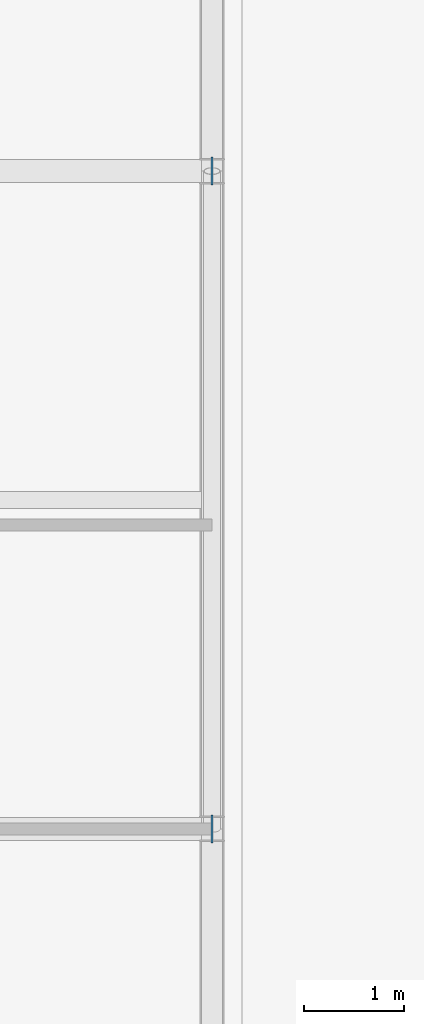
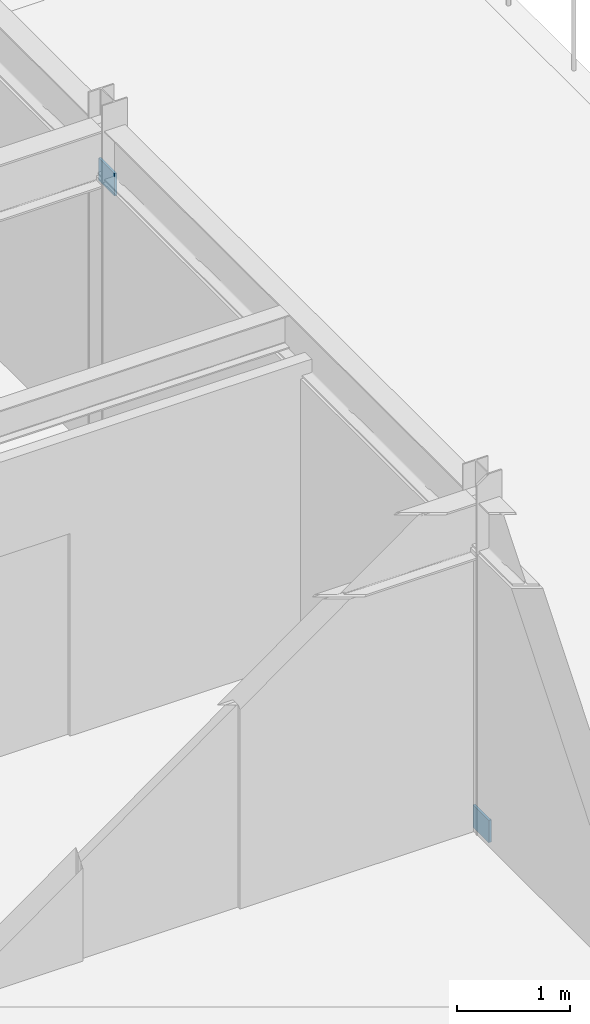
# One storey, part 23 of 28: 2 plates.
"""IFC4 building model written with IfcOpenShell, lengths in metres."""

from ifc_helpers import new_model, si_unit, direction, frame, origin, origin_2d, place, context, subcontext, project, spatial, rectangle, extrude, material, layer, layer_set, type_object, element, save


model = new_model("IFC4")

# Units and contexts
model_context = context("Model", 3, precision=1e-05, world=origin(), true_north=direction((0.0, 1.0)))
body_context = subcontext(model_context, "Body", "Model", "MODEL_VIEW")
ifc_project = project(units=[si_unit("LENGTHUNIT", "METRE"), si_unit("AREAUNIT", "SQUARE_METRE"), si_unit("VOLUMEUNIT", "CUBIC_METRE"), si_unit("PLANEANGLEUNIT", "RADIAN"), si_unit("MASSUNIT", "GRAM", prefix="KILO")], contexts=[model_context])

# Site, building, storey
site_placement = place(None, origin())
site = spatial("IfcSite", under=ifc_project, at=site_placement, CompositionType="ELEMENT")
building_placement = place(site_placement, origin())
building = spatial("IfcBuilding", under=site, at=building_placement, Name="Karori Crest Natural Sciences Institute", CompositionType="ELEMENT")
storey_placement = place(building_placement, frame((0.0, 0.0, 34.300048828125)))
storey = spatial("IfcBuildingStorey", under=building, at=storey_placement, Name="L08", CompositionType="ELEMENT", Elevation=34.300048828125)

# Plates
ifc_material = material(Name="Structural steel AS/NZS 3679.1 Grade 350", Category="steel")
ifc_layer = layer(ifc_material, 0.02490234375, Name="Structural steel AS/NZS 3679.1 Grade 350")
ifc_layer_set = layer_set([ifc_layer], Name="Structural steel AS/NZS 3679.1 Grade 350")
plate_type = type_object("IfcPlateType", Name="PLT-06-EL", PredefinedType="SHEET", material=ifc_layer_set)
for number, where, z_axis, x_axis, name in (
    (1, (149.800048828125, 7.39990234375, -0.10986328125), (0.0, 0.0, 1.0), (0.0, 1.0, 0.0), "Brace gusset plate EP-0422"),
    (2, (149.800048828125, 14.0, 2.84814453125), (0.0, 0.0, 1.0), (0.0, 1.0, 0.0), "Brace gusset plate EP-0423"),
):
    element("IfcPlate", number, at=place(storey_placement, frame(where, z_axis=z_axis, x_axis=x_axis)), inside=storey, type_object=plate_type, Name=name, PredefinedType="SHEET", context=body_context, shape_type="SweptSolid", body=[
        extrude(rectangle(XDim=0.280029296875, YDim=0.02490234375, at=origin_2d()), origin(), (0.0, 0.0, 1.0), 0.239990234375),
    ])

save(model, "model.ifc")
